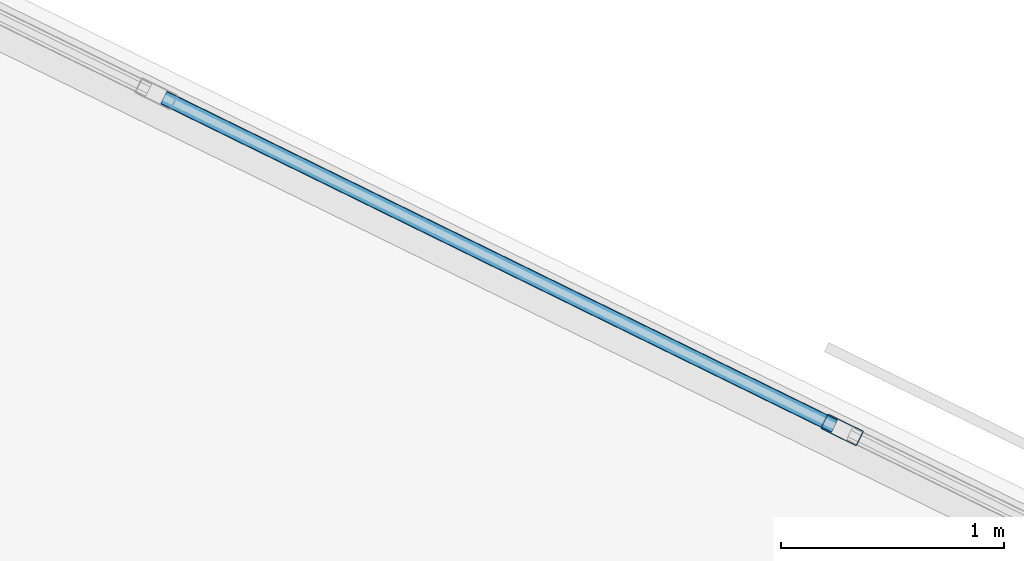
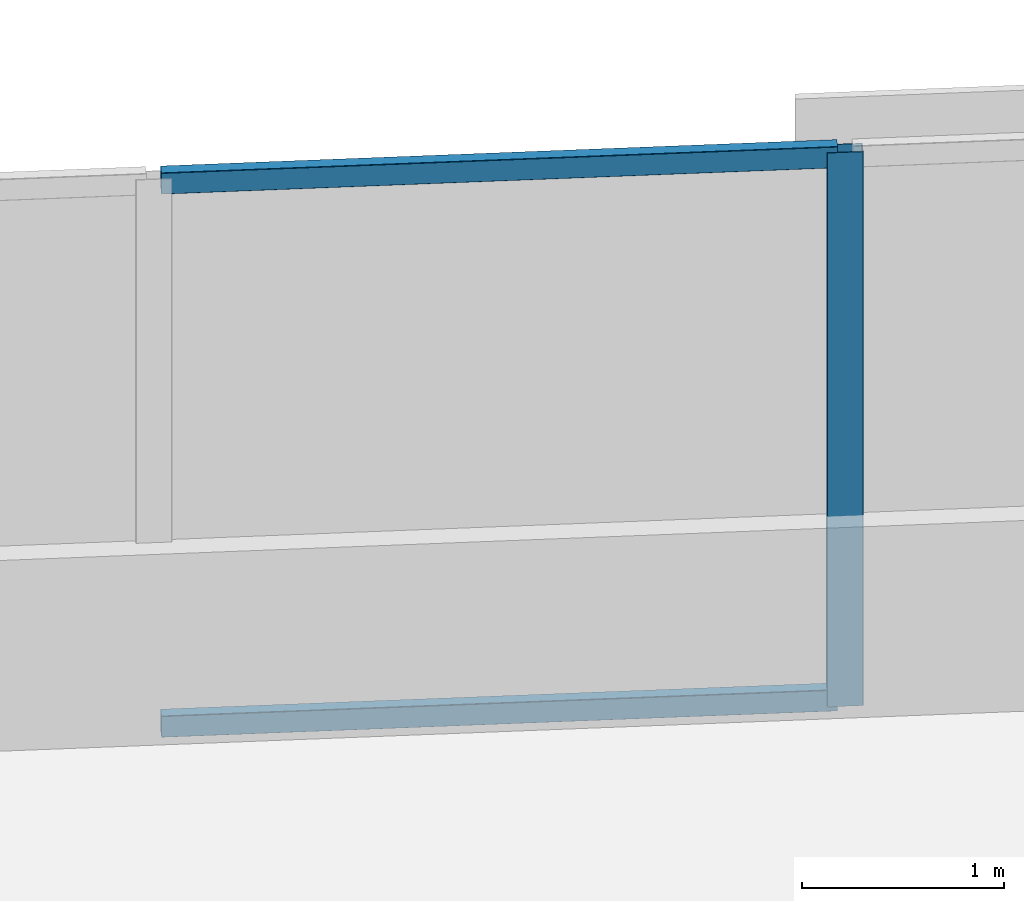
# One storey, part 11 of 18: 3 members, 1 element without a shape of its own.
"""IFC4 building model written with IfcOpenShell, lengths in metres."""

from ifc_helpers import new_model, si_unit, direction, frame, origin, origin_2d, place, context, subcontext, project, spatial, hollow_rectangle, extrude, material, material_profile, profile_set, type_object, element, aggregate, save


model = new_model("IFC4")

# Units and contexts
model_context = context("Model", 3, precision=1e-05, world=origin(), true_north=direction((0.0, 1.0)))
body_context = subcontext(model_context, "Body", "Model", "MODEL_VIEW")
ifc_project = project(units=[si_unit("LENGTHUNIT", "METRE"), si_unit("AREAUNIT", "SQUARE_METRE"), si_unit("VOLUMEUNIT", "CUBIC_METRE"), si_unit("PLANEANGLEUNIT", "RADIAN"), si_unit("MASSUNIT", "GRAM", prefix="KILO")], contexts=[model_context])

# Site, building, storey
site_placement = place(None, origin())
site = spatial("IfcSite", under=ifc_project, at=site_placement, CompositionType="ELEMENT")
building_placement = place(site_placement, origin())
building = spatial("IfcBuilding", under=site, at=building_placement, Name="Narakoshi Arena Tower", CompositionType="ELEMENT")
storey_placement = place(building_placement, frame((0.0, 0.0, 99.300048828125)))
storey = spatial("IfcBuildingStorey", under=building, at=storey_placement, Name="L26", CompositionType="ELEMENT", Elevation=99.300048828125)

# Curtain wall, members
ifc_material = material(Name="Anodised bronze aluminium 6063-T6", Category="aluminium")
curtain_wall_type = type_object("IfcCurtainWallType", Name="CW-HYP-LOW", PredefinedType="NOTDEFINED", material=ifc_material)
curtain_wall_placement = place(storey_placement, origin())
curtain_wall = element("IfcCurtainWall", 1, at=curtain_wall_placement, inside=storey, type_object=curtain_wall_type, Name="L26 Folded Hypotenuse Curtain Wall 2-1", PredefinedType="NOTDEFINED")
ifc_material_profile_1 = material_profile(ifc_material, hollow_rectangle(XDim=0.074951171875, YDim=0.179931640625, WallThickness=0.00390625, OuterFilletRadius=0.0048828125, at=origin_2d()), Name="MUL180x75x4")
ifc_profile_set_1 = profile_set([ifc_material_profile_1], Name="Anodised bronze aluminium 6063-T6")
member_type_1 = type_object("IfcMemberType", Name="MEM-MUL-180", PredefinedType="MULLION", material=ifc_profile_set_1)
member_1_placement = place(storey_placement, frame((81.486083984375, 65.51025390625, 0.0), z_axis=(0.0, 0.0, 1.0), x_axis=(-0.440004510198, -0.89799556291, 0.0)))
member_1 = element("IfcMember", 2, at=member_1_placement, type_object=member_type_1, Name="CW-01 mullion 3", PredefinedType="MULLION", context=body_context, shape_type="SweptSolid", body=[
    extrude(hollow_rectangle(XDim=0.074951171875, YDim=0.179931640625, WallThickness=0.00390625, OuterFilletRadius=0.0048828125, at=origin_2d()), origin(), (0.0, 0.0, 1.0), 3.33984375),
])
ifc_material_profile_2 = material_profile(ifc_material, hollow_rectangle(XDim=0.06494140625, YDim=0.1298828125, WallThickness=0.00390625, OuterFilletRadius=0.0048828125, at=origin_2d()), Name="TRN130x65x4")
ifc_profile_set_2 = profile_set([ifc_material_profile_2], Name="Anodised bronze aluminium 6063-T6")
member_type_2 = type_object("IfcMemberType", Name="MEM-TRN-130", PredefinedType="USERDEFINED", material=ifc_profile_set_2)
member_2_placement = place(storey_placement, frame((81.452392578125, 65.52685546875, 0.032470703125), z_axis=(-0.898000963691, 0.439993487691, 0.0), x_axis=(-0.439993487691, -0.898000963691, 0.0)))
member_2 = element("IfcMember", 3, at=member_2_placement, type_object=member_type_2, Name="CW-01 transom 3.1", ObjectType="TRANSOM", PredefinedType="USERDEFINED", context=body_context, shape_type="SweptSolid", body=[
    extrude(hollow_rectangle(XDim=0.06494140625, YDim=0.1298828125, WallThickness=0.00390625, OuterFilletRadius=0.0048828125, at=origin_2d()), origin(), (0.0, 0.0, 1.0), 3.34765625),
])
member_3_placement = place(storey_placement, frame((81.452392578125, 65.52685546875, 3.307373046875), z_axis=(-0.898000963691, 0.439993487691, 0.0), x_axis=(-0.439993487691, -0.898000963691, 0.0)))
member_3 = element("IfcMember", 4, at=member_3_placement, type_object=member_type_2, Name="CW-01 transom 3.2", ObjectType="TRANSOM", PredefinedType="USERDEFINED", context=body_context, shape_type="SweptSolid", body=[
    extrude(hollow_rectangle(XDim=0.06494140625, YDim=0.1298828125, WallThickness=0.00390625, OuterFilletRadius=0.0048828125, at=origin_2d()), origin(), (0.0, 0.0, 1.0), 3.34765625),
])
aggregate(curtain_wall, [member_1, member_2, member_3])

save(model, "model.ifc")
